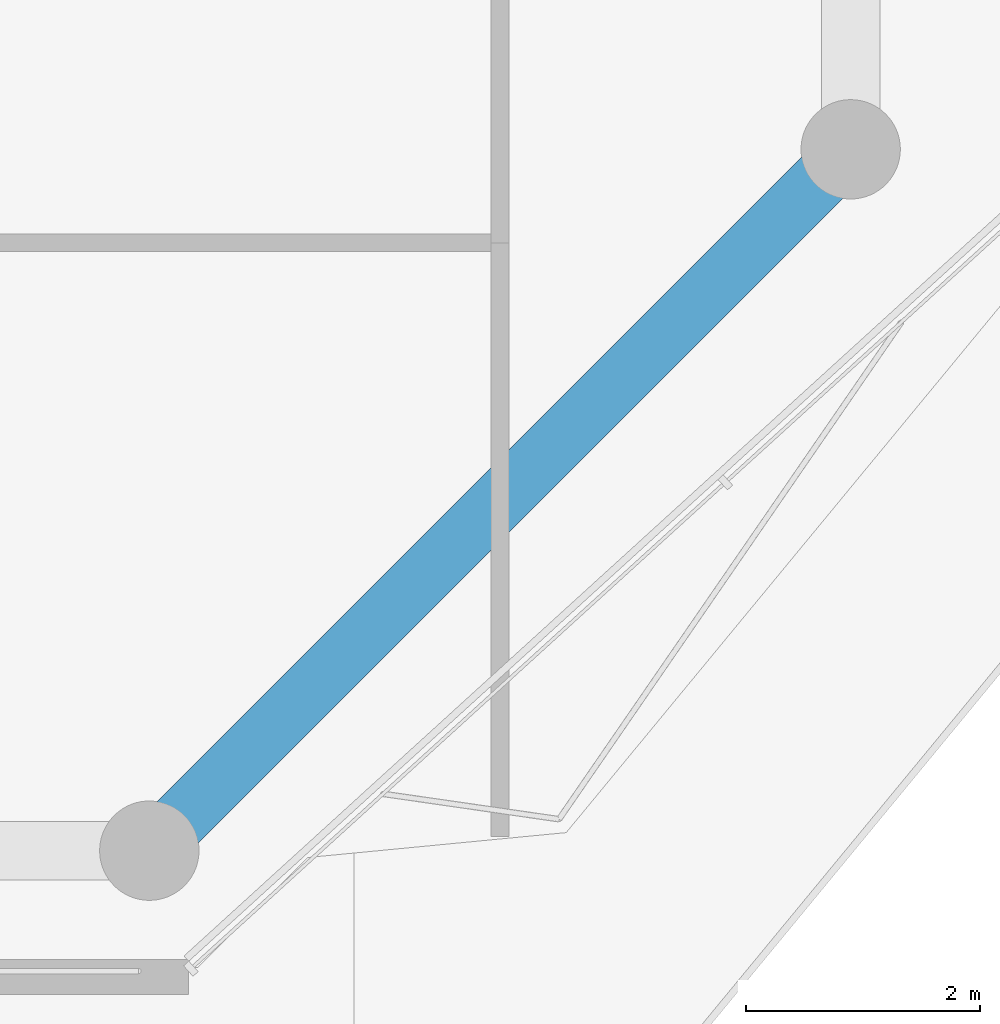
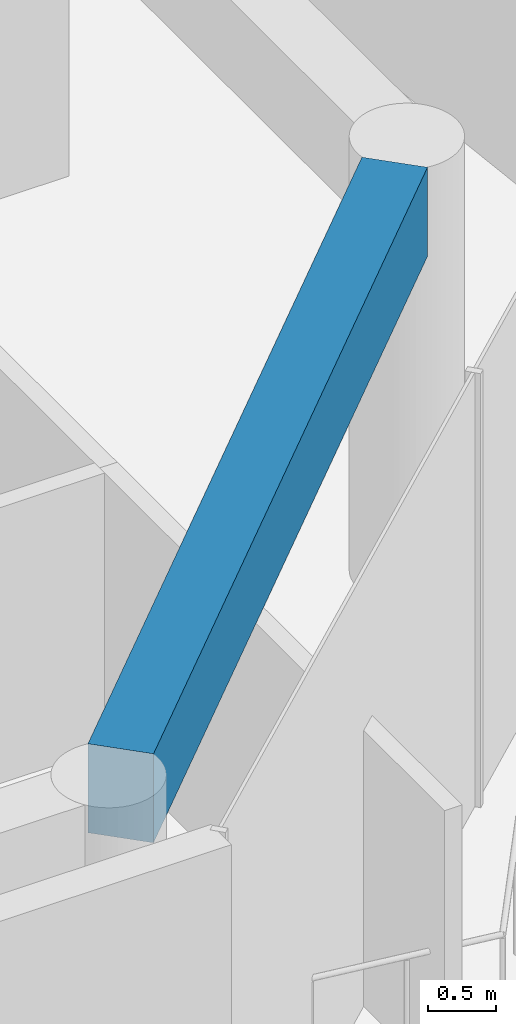
# One storey, part 3 of 22: 1 beam.
"""IFC4 building model written with IfcOpenShell, lengths in metres."""

from ifc_helpers import new_model, si_unit, direction, frame, origin, origin_2d, place, context, subcontext, project, spatial, rectangle, extrude, material, material_profile, profile_set, type_object, element, save


model = new_model("IFC4")

# Units and contexts
model_context = context("Model", 3, precision=1e-05, world=origin(), true_north=direction((0.0, 1.0)))
body_context = subcontext(model_context, "Body", "Model", "MODEL_VIEW")
ifc_project = project(units=[si_unit("LENGTHUNIT", "METRE"), si_unit("AREAUNIT", "SQUARE_METRE"), si_unit("VOLUMEUNIT", "CUBIC_METRE"), si_unit("PLANEANGLEUNIT", "RADIAN"), si_unit("MASSUNIT", "GRAM", prefix="KILO")], contexts=[model_context])

# Site, building, storey
site_placement = place(None, origin())
site = spatial("IfcSite", under=ifc_project, at=site_placement, CompositionType="ELEMENT")
building_placement = place(site_placement, origin())
building = spatial("IfcBuilding", under=site, at=building_placement, Name="Welwitschia Terrace Campus", CompositionType="ELEMENT")
storey_placement = place(building_placement, frame((0.0, 0.0, 310.39990234375)))
storey = spatial("IfcBuildingStorey", under=building, at=storey_placement, Name="L69", CompositionType="ELEMENT", Elevation=310.39990234375)

# Beam
ifc_material = material(Name="Concrete C50/60", Category="concrete")
ifc_material_profile = material_profile(ifc_material, rectangle(XDim=0.5, YDim=0.800048828125, at=origin_2d()))
ifc_profile_set = profile_set([ifc_material_profile], Name="Concrete C50/60")
beam_type = type_object("IfcBeamType", Name="Ring spandrel 500x800", PredefinedType="SPANDREL", material=ifc_profile_set)
beam_placement = place(storey_placement, frame((24.24365234375, -3.75634765625, 3.5), z_axis=(0.707106781187, 0.707106781187, 0.0), x_axis=(-0.707106781187, 0.707106781187, 0.0)))
element("IfcBeam", 1, at=beam_placement, inside=storey, type_object=beam_type, Name="Spandrel SP4", PredefinedType="SPANDREL", context=body_context, shape_type="SweptSolid", body=[
    extrude(rectangle(XDim=0.5, YDim=0.800048828125, at=origin_2d()), origin(), (0.0, 0.0, 1.0), 7.796142578125),
])

save(model, "model.ifc")
